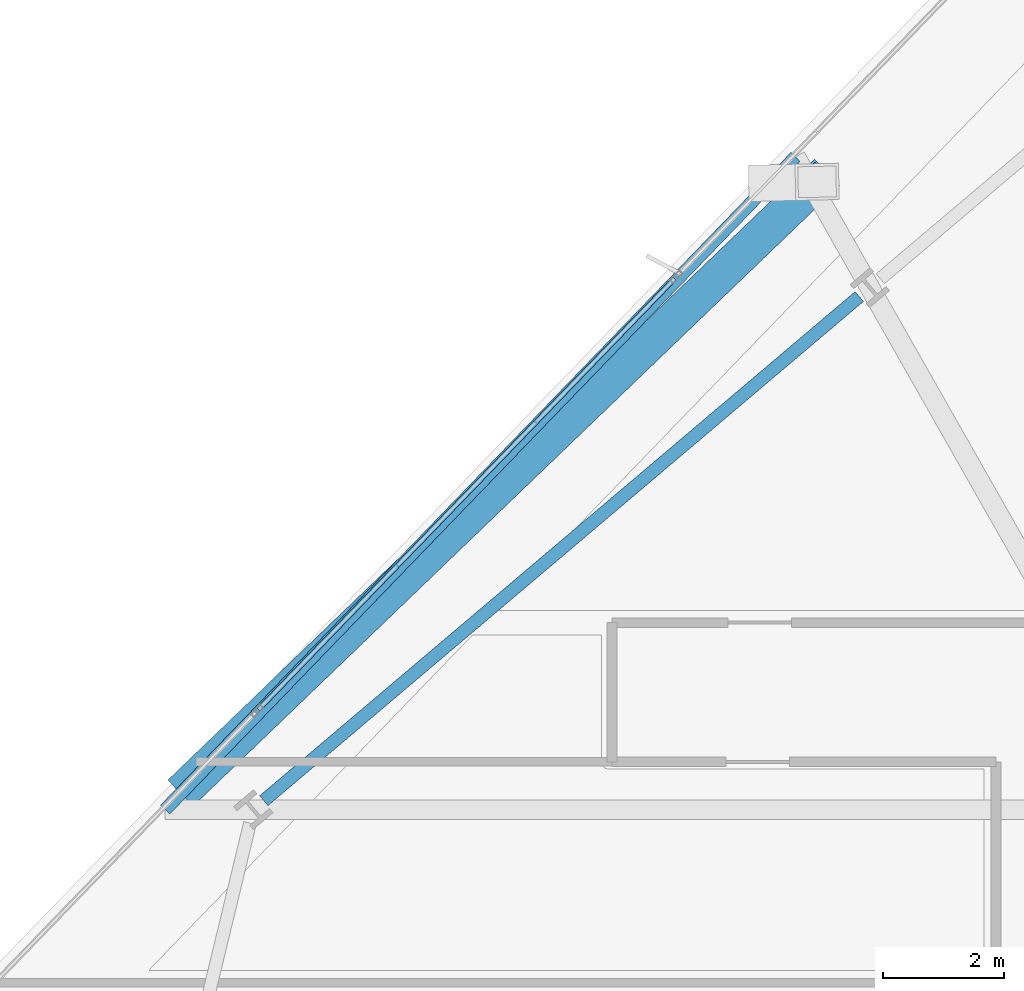
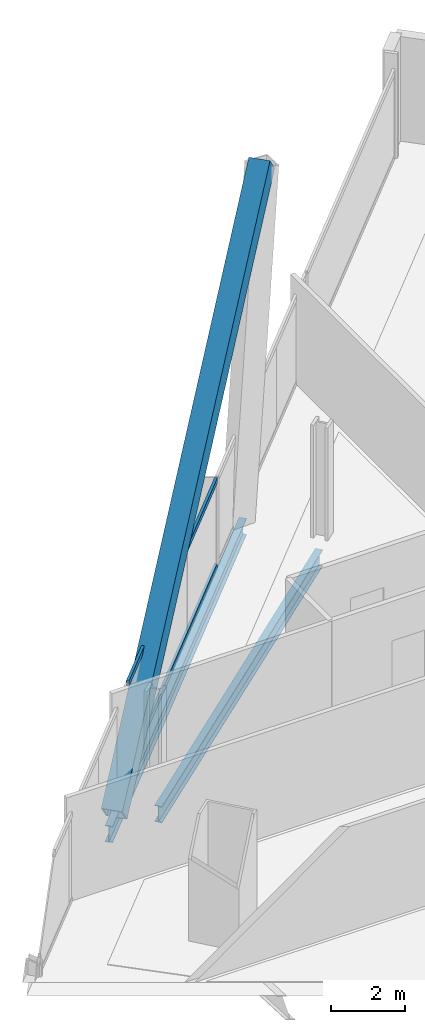
# One storey, part 16 of 33: 3 members, 2 beams, 1 element without a shape of its own.
"""IFC4 building model written with IfcOpenShell, lengths in metres."""

from ifc_helpers import new_model, si_unit, direction, frame, origin, origin_2d, place, context, subcontext, project, spatial, hollow_rectangle, i_section, extrude, material, material_profile, profile_set, type_object, element, aggregate, save


model = new_model("IFC4")

# Units and contexts
model_context = context("Model", 3, precision=1e-05, world=origin(), true_north=direction((0.0, 1.0)))
body_context = subcontext(model_context, "Body", "Model", "MODEL_VIEW")
ifc_project = project(units=[si_unit("LENGTHUNIT", "METRE"), si_unit("AREAUNIT", "SQUARE_METRE"), si_unit("VOLUMEUNIT", "CUBIC_METRE"), si_unit("PLANEANGLEUNIT", "RADIAN"), si_unit("MASSUNIT", "GRAM", prefix="KILO")], contexts=[model_context])

# Site, building, storey
site_placement = place(None, origin())
site = spatial("IfcSite", under=ifc_project, at=site_placement, CompositionType="ELEMENT")
building_placement = place(site_placement, origin())
building = spatial("IfcBuilding", under=site, at=building_placement, Name="Haldenkirk Collegiate Tower", CompositionType="ELEMENT")
storey_placement = place(building_placement, frame((0.0, 0.0, 181.949951171875)))
storey = spatial("IfcBuildingStorey", under=building, at=storey_placement, Name="L45", CompositionType="ELEMENT", Elevation=181.949951171875)

# Beams
ifc_material_1 = material(Name="Steel ASTM A992 Grade 50", Category="steel")
ifc_material_profile_1 = material_profile(ifc_material_1, i_section(OverallWidth=0.2119140625, OverallDepth=0.5439453125, WebThickness=0.01318359375, FlangeThickness=0.021240234375, at=origin_2d()), Name="W21X83")
ifc_profile_set_1 = profile_set([ifc_material_profile_1], Name="Steel ASTM A992 Grade 50")
beam_type = type_object("IfcBeamType", Name="BM-SPANDREL-W21X83", PredefinedType="SPANDREL", material=ifc_profile_set_1)
beam_1_placement = place(storey_placement, frame((22.288818359375, 41.841796875, -0.56201171875), z_axis=(-0.76322543275, -0.64613229203, 0.0), x_axis=(0.64613229203, -0.76322543275, 0.0)))
element("IfcBeam", 1, at=beam_1_placement, inside=storey, type_object=beam_type, Name="L45 perimeter spandrel beam 11", PredefinedType="SPANDREL", context=body_context, shape_type="SweptSolid", body=[
    extrude(i_section(OverallWidth=0.2119140625, OverallDepth=0.5439453125, WebThickness=0.01318359375, FlangeThickness=0.021240234375, at=origin_2d()), origin(), (0.0, 0.0, 1.0), 12.89794921875),
])
beam_2_placement = place(storey_placement, frame((21.23583984375, 44.152099609375, -0.56201171875), z_axis=(-0.69465578869, -0.719342293515, 0.0), x_axis=(0.719342293515, -0.69465578869, 0.0)))
element("IfcBeam", 2, at=beam_2_placement, inside=storey, type_object=beam_type, Name="L45 outer facade edge beam 3", PredefinedType="SPANDREL", context=body_context, shape_type="SweptSolid", body=[
    extrude(i_section(OverallWidth=0.2119140625, OverallDepth=0.5439453125, WebThickness=0.01318359375, FlangeThickness=0.021240234375, at=origin_2d()), origin(), (0.0, 0.0, 1.0), 15.002685546875),
])

# Curtain wall, members
ifc_material_2 = material(Name="Anodised architectural bronze aluminium", Category="aluminium")
curtain_wall_type = type_object("IfcCurtainWallType", Name="CW-SYS1-CONVEX-LOW", PredefinedType="USERDEFINED", material=ifc_material_2)
curtain_wall_placement = place(storey_placement, origin())
curtain_wall = element("IfcCurtainWall", 3, at=curtain_wall_placement, inside=storey, type_object=curtain_wall_type, Name="L45 Lower tower convex bronze-framed unitised curtain wall", ObjectType="UNITISED CURTAIN WALL", PredefinedType="USERDEFINED")
ifc_material_profile_2 = material_profile(ifc_material_2, hollow_rectangle(XDim=0.080078125, YDim=0.179931640625, WallThickness=0.0048828125, at=origin_2d()), Name="CW-TRN-1A")
ifc_profile_set_2 = profile_set([ifc_material_profile_2], Name="Anodised architectural bronze aluminium")
member_type_1 = type_object("IfcMemberType", Name="CW-TRN-1A", PredefinedType="USERDEFINED", material=ifc_profile_set_2)
member_1_placement = place(storey_placement, frame((12.359619140625, 35.01806640625, 0.0400390625), z_axis=(0.694649992229, 0.719347891007, 0.0), x_axis=(-0.719347891007, 0.694649992229, 0.0)))
member_1 = element("IfcMember", 4, at=member_1_placement, type_object=member_type_1, Name="CW-1A transom 2.1", ObjectType="TRANSOM", PredefinedType="USERDEFINED", context=body_context, shape_type="SweptSolid", body=[
    extrude(hollow_rectangle(XDim=0.080078125, YDim=0.179931640625, WallThickness=0.0048828125, at=origin_2d()), origin(), (0.0, 0.0, 1.0), 9.89501953125),
])
member_2_placement = place(storey_placement, frame((12.359619140625, 35.01806640625, 2.87109375), z_axis=(0.694649992229, 0.719347891007, 0.0), x_axis=(-0.719347891007, 0.694649992229, 0.0)))
member_2 = element("IfcMember", 5, at=member_2_placement, type_object=member_type_1, Name="CW-1A transom 2.2", ObjectType="TRANSOM", PredefinedType="USERDEFINED", context=body_context, shape_type="SweptSolid", body=[
    extrude(hollow_rectangle(XDim=0.080078125, YDim=0.179931640625, WallThickness=0.0048828125, at=origin_2d()), origin(), (0.0, 0.0, 1.0), 9.89501953125),
])
aggregate(curtain_wall, [member_1, member_2])

# Member
ifc_material_3 = material(Name="Steel ASTM A572 Grade 50", Category="steel")
ifc_material_profile_3 = material_profile(ifc_material_3, hollow_rectangle(XDim=0.60009765625, YDim=0.719970703125, WallThickness=0.044921875, at=origin_2d()), Name="BOX720X600X45")
ifc_profile_set_3 = profile_set([ifc_material_profile_3], Name="Steel ASTM A572 Grade 50")
member_type_2 = type_object("IfcMemberType", Name="MBR-MEGABRACE-BOX720X600X45", PredefinedType="BRACE", material=ifc_profile_set_3)
member_3_placement = place(storey_placement, frame((11.23095703125, 33.791748046875, -0.300048828125), z_axis=(0.555850155044, 0.533635010758, 0.637388641592), x_axis=(-0.692544566814, 0.721375091736, 0.0)))
element("IfcMember", 6, at=member_3_placement, inside=storey, type_object=member_type_2, Name="Perimeter Mega Brace Z3 L45-L47 NR", PredefinedType="BRACE", context=body_context, shape_type="SweptSolid", body=[
    extrude(hollow_rectangle(XDim=0.60009765625, YDim=0.719970703125, WallThickness=0.044921875, at=origin_2d()), origin(), (0.0, 0.0, 1.0), 18.638671875),
])

save(model, "model.ifc")
